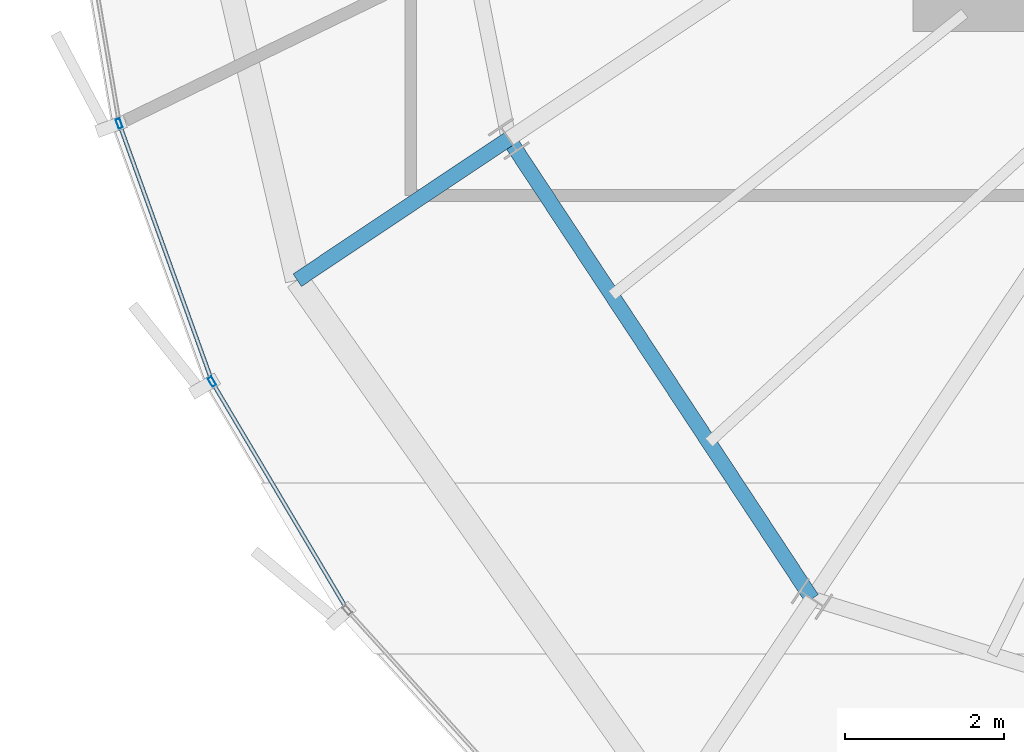
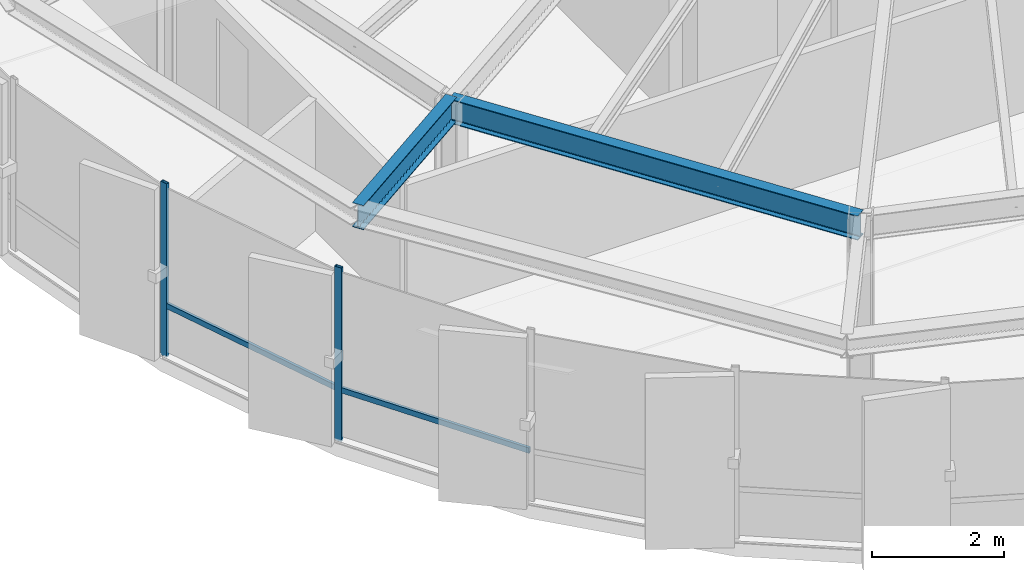
# One storey, part 4 of 31: 4 members, 2 beams, 1 element without a shape of its own.
"""IFC4 building model written with IfcOpenShell, lengths in metres."""

from ifc_helpers import new_model, si_unit, direction, frame, origin, origin_2d, place, context, subcontext, project, spatial, hollow_rectangle, i_section, extrude, source, transform, mapped, material, layer, layer_set, material_profile, profile_set, type_object, element, aggregate, save


model = new_model("IFC4")

# Units and contexts
model_context = context("Model", 3, precision=1e-05, world=origin(), true_north=direction((0.0, 1.0)))
body_context = subcontext(model_context, "Body", "Model", "MODEL_VIEW")
ifc_project = project(units=[si_unit("LENGTHUNIT", "METRE"), si_unit("AREAUNIT", "SQUARE_METRE"), si_unit("VOLUMEUNIT", "CUBIC_METRE"), si_unit("PLANEANGLEUNIT", "RADIAN"), si_unit("MASSUNIT", "GRAM", prefix="KILO"), si_unit("THERMODYNAMICTEMPERATUREUNIT", "KELVIN")], contexts=[model_context])

# Site, building, storey
site_placement = place(None, origin())
site = spatial("IfcSite", under=ifc_project, at=site_placement, CompositionType="ELEMENT")
building_placement = place(site_placement, origin())
building = spatial("IfcBuilding", under=site, at=building_placement, Name="Kethvar Cultural Tower", CompositionType="ELEMENT")
storey_placement = place(building_placement, frame((0.0, 0.0, 276.699951171875)))
storey = spatial("IfcBuildingStorey", under=building, at=storey_placement, Name="L73", CompositionType="ELEMENT", Elevation=276.699951171875)

# Beams
ifc_material_1 = material(Name="Steel S355J2", Category="steel")
ifc_material_profile_1 = material_profile(ifc_material_1, i_section(OverallWidth=0.18994140625, OverallDepth=0.449951171875, WebThickness=0.009521484375, FlangeThickness=0.0146484375, FilletRadius=0.02099609375, at=origin_2d()), Name="Steel S355J2 — IPE450")
ifc_profile_set_1 = profile_set([ifc_material_profile_1], Name="Steel S355J2 — IPE450")
beam_type = type_object("IfcBeamType", Name="BM-IPE450", PredefinedType="BEAM", material=ifc_profile_set_1)
shared_shape_1 = source(origin(), body_context, "Body", "SweptSolid", [
    extrude(i_section(OverallWidth=0.18994140625, OverallDepth=0.449951171875, WebThickness=0.009521484375, FlangeThickness=0.0146484375, FilletRadius=0.02099609375, at=origin_2d()), origin(), (0.0, 0.0, 1.0), 3.199951171875),
])
beam_1_placement = place(storey_placement, frame((32.912841796875, 18.52099609375, 2.983154296875), z_axis=(-0.831462943996, -0.555580212716, 0.0), x_axis=(0.555580212716, -0.831462943996, 0.0)))
element("IfcBeam", 1, at=beam_1_placement, inside=storey, type_object=beam_type, Name="L73 Perimeter Cantilever Beam RC-10", PredefinedType="BEAM", context=body_context, shape_type="MappedRepresentation", body=[
    mapped(shared_shape_1, transform((0.0, 0.0, 0.0), scale=1.0)),
])
shared_shape_2 = source(origin(), body_context, "Body", "SweptSolid", [
    extrude(i_section(OverallWidth=0.18994140625, OverallDepth=0.449951171875, WebThickness=0.009521484375, FlangeThickness=0.0146484375, FilletRadius=0.02099609375, at=origin_2d()), origin(), (0.0, 0.0, 1.0), 6.935791015625),
])
beam_2_placement = place(storey_placement, frame((32.912841796875, 18.52099609375, 2.983154296875), z_axis=(0.550534204139, -0.834812607759, 0.0), x_axis=(0.834812607759, 0.550534204139, 0.0)))
element("IfcBeam", 2, at=beam_2_placement, inside=storey, type_object=beam_type, Name="L73 Column Ring Tie Beam CR-10", PredefinedType="BEAM", context=body_context, shape_type="MappedRepresentation", body=[
    mapped(shared_shape_2, transform((0.0, 0.0, 0.0), scale=1.0)),
])

# Curtain wall, members
ifc_material_2 = material(Name="Aluminium 6063-T6", Category="aluminium")
ifc_layer = layer(ifc_material_2, 0.179931640625, Name="Aluminium 6063-T6", Category="aluminium")
ifc_layer_set = layer_set([ifc_layer], Name="Aluminium 6063-T6 (180 mm)")
curtain_wall_type = type_object("IfcCurtainWallType", Name="CW-SYS-05-Z56", PredefinedType="NOTDEFINED", material=ifc_layer_set)
curtain_wall_placement = place(storey_placement, origin())
curtain_wall = element("IfcCurtainWall", 3, at=curtain_wall_placement, inside=storey, type_object=curtain_wall_type, Name="L73 Curtain Wall Run 03", PredefinedType="NOTDEFINED")
ifc_material_profile_2 = material_profile(ifc_material_2, hollow_rectangle(XDim=0.054931640625, YDim=0.1201171875, WallThickness=0.00390625, at=origin_2d()), Name="Aluminium 6063-T6 — RHS120x55x4")
ifc_profile_set_2 = profile_set([ifc_material_profile_2], Name="Aluminium 6063-T6 — RHS120x55x4")
member_type_1 = type_object("IfcMemberType", Name="CW-SYS-05-Z56-MUL", PredefinedType="MULLION", material=ifc_profile_set_2)
shared_shape_3 = source(origin(), body_context, "Body", "SweptSolid", [
    extrude(hollow_rectangle(XDim=0.054931640625, YDim=0.1201171875, WallThickness=0.00390625, at=origin_2d()), origin(), (0.0, 0.0, 1.0), 3.2099609375),
])
member_1_placement = place(storey_placement, frame((28.01025390625, 18.714599609375, 0.0), z_axis=(0.0, 0.0, 1.0), x_axis=(0.940892592565, 0.338705077104, 0.0)))
member_1 = element("IfcMember", 4, at=member_1_placement, type_object=member_type_1, Name="CW-L73-R03 Mullion 3", PredefinedType="MULLION", context=body_context, shape_type="MappedRepresentation", body=[
    mapped(shared_shape_3, transform((0.0, 0.0, 0.0), scale=1.0)),
])
member_2_placement = place(storey_placement, frame((29.17822265625, 15.46484375, 0.0), z_axis=(0.0, 0.0, 1.0), x_axis=(0.860146180573, 0.510047593902, 0.0)))
member_2 = element("IfcMember", 5, at=member_2_placement, type_object=member_type_1, Name="CW-L73-R03 Mullion 4", PredefinedType="MULLION", context=body_context, shape_type="MappedRepresentation", body=[
    mapped(shared_shape_3, transform((0.0, 0.0, 0.0), scale=1.0)),
])
ifc_material_profile_3 = material_profile(ifc_material_2, hollow_rectangle(XDim=0.050048828125, YDim=0.10009765625, WallThickness=0.00390625, at=origin_2d()), Name="Aluminium 6063-T6 — RHS100x50x4")
ifc_profile_set_3 = profile_set([ifc_material_profile_3], Name="Aluminium 6063-T6 — RHS100x50x4")
member_type_2 = type_object("IfcMemberType", Name="CW-SYS-05-Z56-TRN", PredefinedType="USERDEFINED", material=ifc_profile_set_3)
shared_shape_4 = source(origin(), body_context, "Body", "SweptSolid", [
    extrude(hollow_rectangle(XDim=0.050048828125, YDim=0.10009765625, WallThickness=0.00390625, at=origin_2d()), origin(), (0.0, 0.0, 1.0), 3.392822265625),
])
member_3_placement = place(storey_placement, frame((28.023681640625, 18.67724609375, 0.949951171875), z_axis=(0.338696536043, -0.940895667156, 0.0), x_axis=(0.940895667156, 0.338696536043, 0.0)))
member_3 = element("IfcMember", 6, at=member_3_placement, type_object=member_type_2, Name="CW-L73-R03 Transom 3", ObjectType="TRANSOM", PredefinedType="USERDEFINED", context=body_context, shape_type="MappedRepresentation", body=[
    mapped(shared_shape_4, transform((0.0, 0.0, 0.0), scale=1.0)),
])
shared_shape_5 = source(origin(), body_context, "Body", "SweptSolid", [
    extrude(hollow_rectangle(XDim=0.050048828125, YDim=0.10009765625, WallThickness=0.00390625, at=origin_2d()), origin(), (0.0, 0.0, 1.0), 3.28125),
])
member_4_placement = place(storey_placement, frame((29.198486328125, 15.4306640625, 0.949951171875), z_axis=(0.510057314423, -0.860140416446, 0.0), x_axis=(0.860140416446, 0.510057314423, 0.0)))
member_4 = element("IfcMember", 7, at=member_4_placement, type_object=member_type_2, Name="CW-L73-R03 Transom 4", ObjectType="TRANSOM", PredefinedType="USERDEFINED", context=body_context, shape_type="MappedRepresentation", body=[
    mapped(shared_shape_5, transform((0.0, 0.0, 0.0), scale=1.0)),
])
aggregate(curtain_wall, [member_1, member_2, member_3, member_4])

save(model, "model.ifc")
